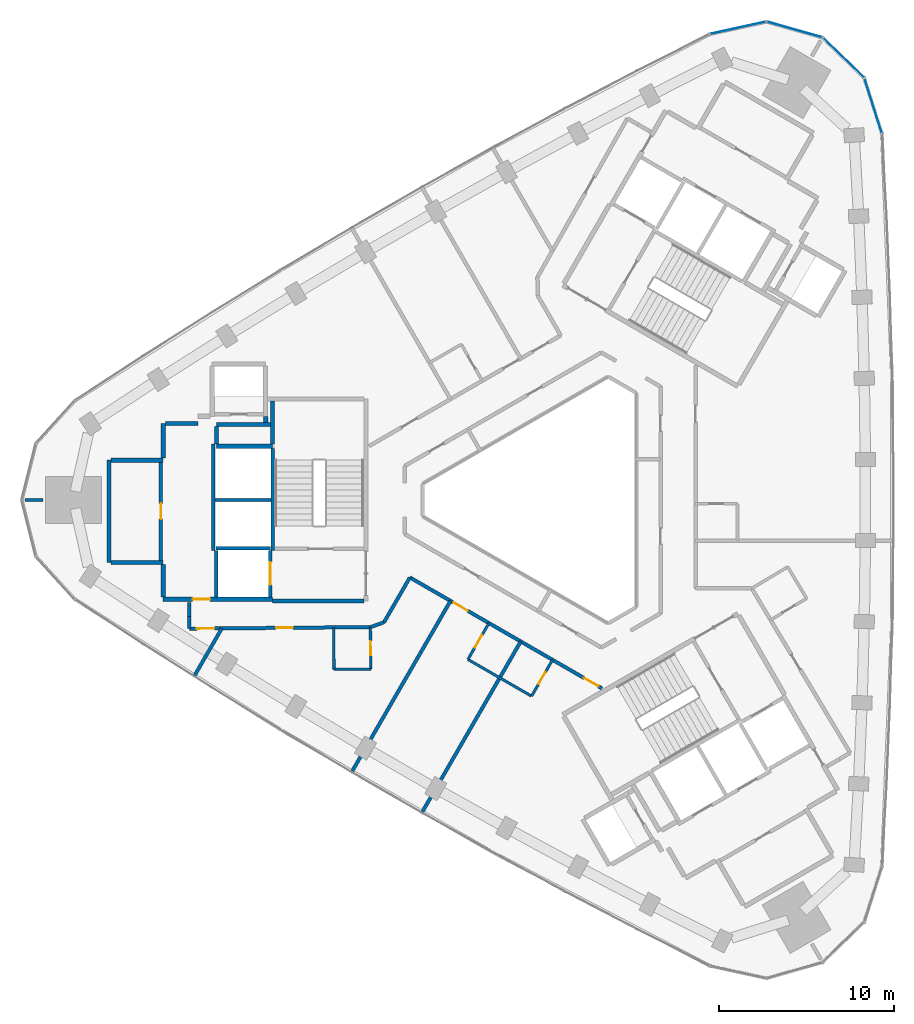
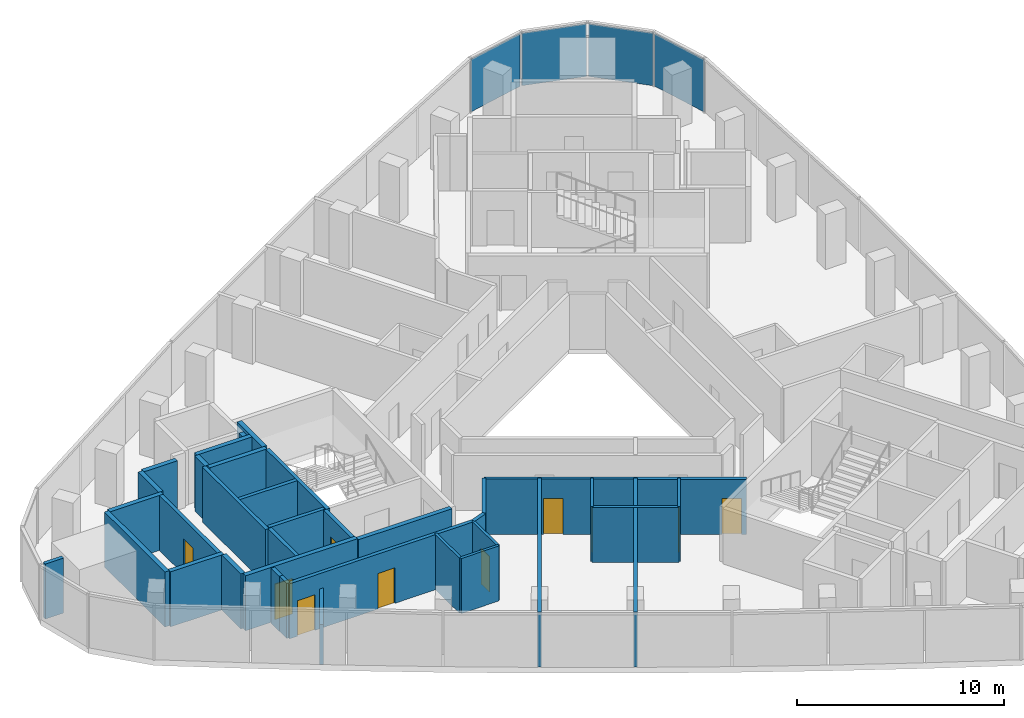
# One storey, part 7 of 12: 36 walls, 10 doors, 4 plates, 10 openings, 1 element without a shape of its own.
"""IFC4 building model written with IfcOpenShell, lengths in metres."""

import ifcopenshell
import ifcopenshell.guid

model = None  # the IFC model being written
_history = None  # IfcOwnerHistory: only IFC2X3 demands one
_inside = {}  # id of a spatial element -> (the spatial element, [elements in it])
_under = {}  # id of a project, library or spatial element -> (it, [spatial elements below it])
_declared = {}  # id of a project -> (the project, [libraries it declares])
_typed = {}  # id of a type object -> (the type object, [elements of that type])
_made_of = {}  # id of a material, layer set ... -> (it, [elements and type objects made of it])


def new_model(schema):
    """Start an empty IFC model of exactly this schema.

    Asked for "IFC4X3", IfcOpenShell would pick the latest addendum, in which some entities
    have other attributes; the version numbers below select the first issue.
    IFC2X3 requires an IfcOwnerHistory on every rooted entity: one is made here for all.
    """
    global model, _history
    if schema == "IFC4X3":
        model = ifcopenshell.file(schema_version=(4, 3, 0, 0))
    else:
        model = ifcopenshell.file(schema=schema)
    _inside.clear()
    _under.clear()
    _declared.clear()
    _typed.clear()
    _made_of.clear()
    _history = None
    if model.schema == "IFC2X3":
        org = make("IfcOrganization", Name="unknown")
        user = make(
            "IfcPersonAndOrganization",
            ThePerson=make("IfcPerson", FamilyName="unknown"),
            TheOrganization=org,
        )
        app = make(
            "IfcApplication",
            ApplicationDeveloper=org,
            Version="unknown",
            ApplicationFullName="unknown",
            ApplicationIdentifier="unknown",
        )
        _history = make(
            "IfcOwnerHistory",
            OwningUser=user,
            OwningApplication=app,
            ChangeAction="ADDED",
            CreationDate=0,
        )
    return model


def make(cls, **values):
    """One entity of the class cls with the attributes given. An attribute that is None is left unset."""
    return model.create_entity(
        cls, **{name: value for name, value in values.items() if value is not None}
    )


def rooted(cls, **values):
    """An entity with a GlobalId (a new one), such as an element, a storey or a relation."""
    return make(cls, GlobalId=ifcopenshell.guid.new(), OwnerHistory=_history, **values)


def si_unit(unit_type, name, prefix=None):
    """IfcSIUnit, for example si_unit("LENGTHUNIT", "METRE", prefix="MILLI")."""
    return make("IfcSIUnit", UnitType=unit_type, Prefix=prefix, Name=name)


def assignment(units):
    """IfcUnitAssignment: the units of a project."""
    return None if units is None else make("IfcUnitAssignment", Units=units)


def point(xyz):
    """IfcCartesianPoint."""
    return None if xyz is None else make("IfcCartesianPoint", Coordinates=xyz)


def direction(xyz):
    """IfcDirection."""
    return None if xyz is None else make("IfcDirection", DirectionRatios=xyz)


def frame(location, z_axis=None, x_axis=None):
    """IfcAxis2Placement3D, a coordinate frame: its origin and axes. An axis left out is left unset."""
    return make(
        "IfcAxis2Placement3D",
        Location=point(location),
        Axis=direction(z_axis),
        RefDirection=direction(x_axis),
    )


def frame_2d(location, x_axis=None):
    """IfcAxis2Placement2D, a coordinate frame in the plane: its origin and x axis."""
    return make(
        "IfcAxis2Placement2D", Location=point(location), RefDirection=direction(x_axis)
    )


def origin():
    """The frame at (0, 0, 0) with its axes left unset."""
    return frame((0.0, 0.0, 0.0))


def origin_2d():
    """The frame at (0, 0) in the plane with its x axis left unset."""
    return frame_2d((0.0, 0.0))


def place(relative_to, where):
    """IfcLocalPlacement: puts the frame where relative to a parent placement (None: the world)."""
    return make(
        "IfcLocalPlacement", PlacementRelTo=relative_to, RelativePlacement=where
    )


def context(
    kind, dimensions, precision=None, world=None, true_north=None, identifier=None
):
    """IfcGeometricRepresentationContext, for example the 3D "Model" context."""
    return make(
        "IfcGeometricRepresentationContext",
        ContextIdentifier=identifier,
        ContextType=kind,
        CoordinateSpaceDimension=dimensions,
        Precision=precision,
        WorldCoordinateSystem=world,
        TrueNorth=true_north,
    )


def subcontext(parent, identifier, kind, view, scale=None):
    """IfcGeometricRepresentationSubContext, for example "Body" below "Model"."""
    return make(
        "IfcGeometricRepresentationSubContext",
        ContextIdentifier=identifier,
        ContextType=kind,
        ParentContext=parent,
        TargetScale=scale,
        TargetView=view,
    )


def project(units=None, contexts=None):
    """IfcProject with its units and contexts."""
    return rooted(
        "IfcProject",
        Name="project",
        RepresentationContexts=contexts,
        UnitsInContext=assignment(units),
    )


def spatial(cls, under=None, at=None, **own):
    """A site, building, storey or space (cls), placed at a placement, below another one or the project."""
    s = rooted(cls, ObjectPlacement=at, **own)
    if under is not None:
        _under.setdefault(under.id(), (under, []))[1].append(s)
    return s


def profile(cls, at=None, kind="AREA", **sizes):
    """A parametric profile (cls). Its sizes go by their IFC names, for example OverallWidth=200.0."""
    return make(cls, ProfileType=kind, Position=at, **sizes)


def rectangle(**sizes):
    """IfcRectangleProfileDef."""
    return profile("IfcRectangleProfileDef", **sizes)


def extrude(swept, where, along, depth):
    """IfcExtrudedAreaSolid: the profile swept, set in the frame where, extruded along a direction by depth."""
    return make(
        "IfcExtrudedAreaSolid",
        SweptArea=swept,
        Position=where,
        ExtrudedDirection=direction(along),
        Depth=depth,
    )


def shape(context_of_items, identifier, shape_type, items):
    """IfcShapeRepresentation: the items that make up one representation, for example the "Body"."""
    return make(
        "IfcShapeRepresentation",
        ContextOfItems=context_of_items,
        RepresentationIdentifier=identifier,
        RepresentationType=shape_type,
        Items=items,
    )


def material(Name=None, Category=None):
    """IfcMaterial."""
    return make("IfcMaterial", Name=Name, Category=Category)


def layer(
    of_material, thickness, ventilated=None, Name=None, Category=None, Priority=None
):
    """IfcMaterialLayer: one layer of a wall or slab, of a material (None: an air gap)."""
    return make(
        "IfcMaterialLayer",
        Material=of_material,
        LayerThickness=thickness,
        IsVentilated=ventilated,
        Name=Name,
        Category=Category,
        Priority=Priority,
    )


def layer_set(layers, Name=None):
    """IfcMaterialLayerSet."""
    return make("IfcMaterialLayerSet", MaterialLayers=layers, LayerSetName=Name)


def made_of(thing, what):
    """Note that an element or type object is made of a material, layer set ...; save() writes the relation."""
    if what is not None:
        _made_of.setdefault(what.id(), (what, []))[1].append(thing)
    return thing


def type_object(cls, material=None, **own):
    """A type object (cls), such as IfcWallType, which elements share."""
    return made_of(rooted(cls, **own), material)


def element(
    cls,
    number,
    at=None,
    inside=None,
    cuts=None,
    type_object=None,
    material=None,
    context=None,
    identifier="Body",
    shape_type=None,
    held_by="IfcProductDefinitionShape",
    body=None,
    shapes=None,
    **own,
):
    """One element of the class cls, such as IfcWall. Its Tag is "e" and its number.

    at: its placement. inside: the storey or other place that contains it. cuts: it is an
    opening in that element (IfcRelVoidsElement). A single representation is given by context,
    identifier, shape_type and body (its items); several are given by shapes. held_by: the class
    of the entity that holds the representations. save() writes the other relations.
    """
    e = rooted(cls, Tag="e%d" % number, ObjectPlacement=at, **own)
    if body is not None:
        shapes = [shape(context, identifier, shape_type, body)]
    if shapes is not None:
        e.Representation = make(held_by, Representations=shapes)
    if inside is not None:
        _inside.setdefault(inside.id(), (inside, []))[1].append(e)
    if cuts is not None:
        rooted(
            "IfcRelVoidsElement", RelatingBuildingElement=cuts, RelatedOpeningElement=e
        )
    if type_object is not None:
        _typed.setdefault(type_object.id(), (type_object, []))[1].append(e)
    return made_of(e, material)


def fill(opening, filler):
    """IfcRelFillsElement: the door or window that sits in an opening."""
    return rooted(
        "IfcRelFillsElement",
        RelatingOpeningElement=opening,
        RelatedBuildingElement=filler,
    )


def aggregate(whole, parts):
    """IfcRelAggregates: a whole, such as a stair, and the parts it consists of."""
    return rooted("IfcRelAggregates", RelatingObject=whole, RelatedObjects=parts)


def save(model, path):
    """Write the relations noted so far, then the file.

    IfcRelAggregates (storeys below a building ...), IfcRelContainedInSpatialStructure (elements
    in a storey), IfcRelDefinesByType, IfcRelAssociatesMaterial and IfcRelDeclares: one each for
    every whole, place, type object, material and project.
    """
    for whole, parts in _under.values():
        aggregate(whole, parts)
    for where, things in _inside.values():
        rooted(
            "IfcRelContainedInSpatialStructure",
            RelatedElements=things,
            RelatingStructure=where,
        )
    for kind, things in _typed.values():
        rooted("IfcRelDefinesByType", RelatedObjects=things, RelatingType=kind)
    for what, things in _made_of.values():
        rooted("IfcRelAssociatesMaterial", RelatedObjects=things, RelatingMaterial=what)
    for by, libraries in _declared.values():
        rooted("IfcRelDeclares", RelatingContext=by, RelatedDefinitions=libraries)
    model.write(path)


model = new_model("IFC4")

# Units and contexts
model_context = context("Model", 3, precision=1e-05, world=origin(), true_north=direction((0.0, 1.0)))
body_context = subcontext(model_context, "Body", "Model", "MODEL_VIEW")
ifc_project = project(units=[si_unit("LENGTHUNIT", "METRE"), si_unit("AREAUNIT", "SQUARE_METRE"), si_unit("VOLUMEUNIT", "CUBIC_METRE"), si_unit("PLANEANGLEUNIT", "RADIAN"), si_unit("MASSUNIT", "GRAM", prefix="KILO")], contexts=[model_context])

# Site, building, storey
site_placement = place(None, origin())
site = spatial("IfcSite", under=ifc_project, at=site_placement, CompositionType="ELEMENT")
building_placement = place(site_placement, origin())
building = spatial("IfcBuilding", under=site, at=building_placement, Name="Tamra Quay Hotel Tower", CompositionType="ELEMENT")
storey_placement = place(building_placement, frame((0.0, 0.0, 179.199951171875)))
storey = spatial("IfcBuildingStorey", under=building, at=storey_placement, Name="L44", CompositionType="ELEMENT", Elevation=179.199951171875)

# Curtain wall, plates
ifc_material_1 = material(Name="Aluminium 6063 anodised dark grey", Category="aluminium")
curtain_wall_type = type_object("IfcCurtainWallType", Name="CW1 CURTAIN WALL", PredefinedType="NOTDEFINED", material=ifc_material_1)
curtain_wall_placement = place(storey_placement, origin())
curtain_wall = element("IfcCurtainWall", 1, at=curtain_wall_placement, inside=storey, type_object=curtain_wall_type, Name="CW1 east face L44", PredefinedType="NOTDEFINED")
ifc_material_2 = material(Name="Glass clear laminated low-iron", Category="glass")
ifc_layer_1 = layer(ifc_material_2, 0.030029296875)
ifc_layer_set_1 = layer_set([ifc_layer_1], Name="GLASS PANEL CW1 Z4")
plate_type = type_object("IfcPlateType", Name="GLASS PANEL CW1 Z4", PredefinedType="CURTAIN_PANEL", material=ifc_layer_set_1)
plate_1_placement = place(storey_placement, frame((18.16064453125, 22.54052734375, 0.0), z_axis=(0.0, 0.0, 1.0), x_axis=(-0.303410479682, 0.952859948166, 0.0)))
plate_1 = element("IfcPlate", 2, at=plate_1_placement, type_object=plate_type, Name="CW1 glass L44.E.10", PredefinedType="CURTAIN_PANEL", context=body_context, shape_type="SweptSolid", body=[
    extrude(rectangle(XDim=3.227783203125, YDim=0.030029296875, at=origin_2d()), origin(), (0.0, 0.0, 1.0), 3.110107421875),
])
plate_2_placement = place(storey_placement, frame((16.461181640625, 25.2841796875, 0.0), z_axis=(0.0, 0.0, 1.0), x_axis=(-0.717974699393, 0.696069199888, 0.0)))
plate_2 = element("IfcPlate", 3, at=plate_2_placement, type_object=plate_type, Name="CW1 glass L44.E.11", PredefinedType="CURTAIN_PANEL", context=body_context, shape_type="SweptSolid", body=[
    extrude(rectangle(XDim=3.227783203125, YDim=0.030029296875, at=origin_2d()), origin(), (0.0, 0.0, 1.0), 3.110107421875),
])
plate_3_placement = place(storey_placement, frame((13.666259765625, 26.897705078125, 0.0), z_axis=(0.0, 0.0, 1.0), x_axis=(-0.961800959591, 0.273749729005, 0.0)))
plate_3 = element("IfcPlate", 4, at=plate_3_placement, type_object=plate_type, Name="CW1 glass L44.E.12", PredefinedType="CURTAIN_PANEL", context=body_context, shape_type="SweptSolid", body=[
    extrude(rectangle(XDim=3.227783203125, YDim=0.030029296875, at=origin_2d()), origin(), (0.0, 0.0, 1.0), 3.110107421875),
])
plate_4_placement = place(storey_placement, frame((10.4404296875, 26.997802734375, 0.0), z_axis=(0.0, 0.0, 1.0), x_axis=(-0.976906161202, -0.213668790904, 0.0)))
plate_4 = element("IfcPlate", 5, at=plate_4_placement, type_object=plate_type, Name="CW1 glass L44.E.13", PredefinedType="CURTAIN_PANEL", context=body_context, shape_type="SweptSolid", body=[
    extrude(rectangle(XDim=3.227783203125, YDim=0.030029296875, at=origin_2d()), origin(), (0.0, 0.0, 1.0), 3.110107421875),
])
aggregate(curtain_wall, [plate_1, plate_2, plate_3, plate_4])

# Walls
ifc_material_3 = material(Name="Concrete M70", Category="concrete")
ifc_layer_2 = layer(ifc_material_3, 0.199951171875)
ifc_layer_set_2 = layer_set([ifc_layer_2], Name="Concrete M70 core wall 200")
wall_type_1 = type_object("IfcWallType", Name="Concrete M70 core wall 200", PredefinedType="SHEAR", material=ifc_layer_set_2)
wall_1_placement = place(storey_placement, frame((-16.162109375, 2.95068359375, 0.0), z_axis=(0.0, 0.0, 1.0), x_axis=(0.0, -1.0, 0.0)))
element("IfcWall", 6, at=wall_1_placement, inside=storey, type_object=wall_type_1, Name="CW2", PredefinedType="SHEAR", context=body_context, shape_type="SweptSolid", body=[
    extrude(rectangle(XDim=5.850830078125, YDim=0.199951171875, at=frame_2d((2.92529296875, 0.0))), origin(), (0.0, 0.0, 1.0), 3.25),
])
wall_2_placement = place(storey_placement, frame((-19.5625, -2.900146484375, 0.0), z_axis=(0.0, 0.0, 1.0), x_axis=(0.0, 1.0, 0.0)))
element("IfcWall", 7, at=wall_2_placement, inside=storey, type_object=wall_type_1, Name="CW2", PredefinedType="SHEAR", context=body_context, shape_type="SweptSolid", body=[
    extrude(rectangle(XDim=6.100341796875, YDim=0.199951171875, at=frame_2d((3.05029296875, 0.0))), origin(), (0.0, 0.0, 1.0), 3.25),
])

# Wall, opening, door
wall_3_placement = place(storey_placement, frame((-22.5625, -3.448974609375, 0.0), z_axis=(0.0, 0.0, 1.0), x_axis=(0.0, 1.0, 0.0)))
wall_3 = element("IfcWall", 8, at=wall_3_placement, inside=storey, type_object=wall_type_1, Name="CW2", PredefinedType="SHEAR", context=body_context, shape_type="SweptSolid", body=[
    extrude(rectangle(XDim=5.597900390625, YDim=0.199951171875, at=frame_2d((2.798828125, 0.0))), origin(), (0.0, 0.0, 1.0), 3.25),
])
opening_1_placement = place(wall_3_placement, frame((2.34912109375, 0.0, 0.0)))
opening_1 = element("IfcOpeningElement", 9, at=opening_1_placement, cuts=wall_3, Name="Opening D2", PredefinedType="OPENING", context=body_context, shape_type="SweptSolid", body=[
    extrude(rectangle(XDim=0.89990234375, YDim=2.10009765625, at=frame_2d((0.449951171875, 1.050048828125))), frame((0.0, 0.10986328125, 0.0), z_axis=(0.0, -1.0, 0.0), x_axis=(1.0, 0.0, 0.0)), (0.0, 0.0, 1.0), 0.219970703125),
])
ifc_material_4 = material(Name="Core door D2 900x2100 RH")
door_type_1 = type_object("IfcDoorType", Name="Core door D2 900x2100 RH", OperationType="NOTDEFINED", PredefinedType="DOOR", material=ifc_material_4)
door_1_placement = place(opening_1_placement, origin())
door_1 = element("IfcDoor", 10, at=door_1_placement, inside=storey, type_object=door_type_1, Name="D2", OperationType="SINGLE_SWING_RIGHT", OverallHeight=2.10009765625, OverallWidth=0.89990234375, PredefinedType="DOOR", context=body_context, shape_type="SweptSolid", body=[
    extrude(rectangle(XDim=0.89990234375, YDim=2.10009765625, at=frame_2d((0.449951171875, 1.050048828125))), frame((0.0, 0.02490234375, 0.0), z_axis=(0.0, -1.0, 0.0), x_axis=(1.0, 0.0, 0.0)), (0.0, 0.0, 1.0), 0.050048828125),
])
fill(opening_1, door_1)

# Walls
wall_4_placement = place(storey_placement, frame((-16.26318359375, 0.0, 0.0), z_axis=(0.0, 0.0, 1.0), x_axis=(-1.0, 0.0, 0.0)))
element("IfcWall", 11, at=wall_4_placement, inside=storey, type_object=wall_type_1, Name="CW2", PredefinedType="SHEAR", context=body_context, shape_type="SweptSolid", body=[
    extrude(rectangle(XDim=3.1982421875, YDim=0.199951171875, at=frame_2d((1.59912109375, 0.0))), origin(), (0.0, 0.0, 1.0), 3.25),
])
wall_5_placement = place(storey_placement, frame((-19.412353515625, -2.75, 0.0), z_axis=(0.0, 0.0, 1.0), x_axis=(1.0, 0.0, 0.0)))
element("IfcWall", 12, at=wall_5_placement, inside=storey, type_object=wall_type_1, Name="CW2", PredefinedType="SHEAR", context=body_context, shape_type="SweptSolid", body=[
    extrude(rectangle(XDim=3.10009765625, YDim=0.199951171875, at=frame_2d((1.550048828125, 0.0))), origin(), (0.0, 0.0, 1.0), 3.25),
])

# Wall, opening, door
wall_6_placement = place(storey_placement, frame((-16.312255859375, -2.898193359375, 0.0), z_axis=(0.0, 0.0, 1.0), x_axis=(0.0, -1.0, 0.0)))
wall_6 = element("IfcWall", 13, at=wall_6_placement, inside=storey, type_object=wall_type_1, Name="CW2", PredefinedType="SHEAR", context=body_context, shape_type="SweptSolid", body=[
    extrude(rectangle(XDim=2.65087890625, YDim=0.199951171875, at=frame_2d((1.325439453125, 0.0))), origin(), (0.0, 0.0, 1.0), 3.25),
])
opening_2_placement = place(wall_6_placement, frame((0.65185546875, 0.0, 0.0)))
opening_2 = element("IfcOpeningElement", 14, at=opening_2_placement, cuts=wall_6, Name="Opening LD", PredefinedType="OPENING", context=body_context, shape_type="SweptSolid", body=[
    extrude(rectangle(XDim=1.300048828125, YDim=2.10009765625, at=frame_2d((0.64990234375, 1.050048828125))), frame((0.0, 0.10986328125, 0.0), z_axis=(0.0, -1.0, 0.0), x_axis=(1.0, 0.0, 0.0)), (0.0, 0.0, 1.0), 0.219970703125),
])
ifc_material_5 = material(Name="Landing door LD 1300 sliding to left")
door_type_2 = type_object("IfcDoorType", Name="Landing door LD 1300 sliding to left", OperationType="NOTDEFINED", PredefinedType="DOOR", material=ifc_material_5)
door_2_placement = place(opening_2_placement, origin())
door_2 = element("IfcDoor", 15, at=door_2_placement, inside=storey, type_object=door_type_2, Name="LD", OperationType="SLIDING_TO_LEFT", OverallHeight=2.10009765625, OverallWidth=1.300048828125, PredefinedType="DOOR", context=body_context, shape_type="SweptSolid", body=[
    extrude(rectangle(XDim=1.300048828125, YDim=2.10009765625, at=frame_2d((0.64990234375, 1.050048828125))), frame((0.0, 0.02490234375, 0.0), z_axis=(0.0, -1.0, 0.0), x_axis=(1.0, 0.0, 0.0)), (0.0, 0.0, 1.0), 0.050048828125),
])
fill(opening_2, door_2)

# Wall
wall_7_placement = place(storey_placement, frame((-19.412353515625, -5.549072265625, 0.0), z_axis=(0.0, 0.0, 1.0), x_axis=(0.0, 1.0, 0.0)))
element("IfcWall", 16, at=wall_7_placement, inside=storey, type_object=wall_type_1, Name="CW2", PredefinedType="SHEAR", context=body_context, shape_type="SweptSolid", body=[
    extrude(rectangle(XDim=2.65087890625, YDim=0.199951171875, at=frame_2d((1.325439453125, 0.0))), origin(), (0.0, 0.0, 1.0), 3.25),
])

# Wall, opening, door
ifc_layer_3 = layer(ifc_material_3, 0.25)
ifc_layer_set_3 = layer_set([ifc_layer_3], Name="Concrete M70 core wall 250")
wall_type_2 = type_object("IfcWallType", Name="Concrete M70 core wall 250", PredefinedType="SHEAR", material=ifc_layer_set_3)
wall_8_placement = place(storey_placement, frame((-16.187255859375, -5.675048828125, 0.0), z_axis=(0.0, 0.0, 1.0), x_axis=(-1.0, 0.0, 0.0)))
wall_8 = element("IfcWall", 17, at=wall_8_placement, inside=storey, type_object=wall_type_2, Name="CW1", PredefinedType="SHEAR", context=body_context, shape_type="SweptSolid", body=[
    extrude(rectangle(XDim=6.25, YDim=0.25, at=frame_2d((3.125, 0.0))), origin(), (0.0, 0.0, 1.0), 3.25),
])
opening_3_placement = place(wall_8_placement, frame((3.562744140625, 0.0, 0.0)))
opening_3 = element("IfcOpeningElement", 18, at=opening_3_placement, cuts=wall_8, Name="Opening FD3", PredefinedType="OPENING", context=body_context, shape_type="SweptSolid", body=[
    extrude(rectangle(XDim=1.0, YDim=2.10009765625, at=frame_2d((0.5, 1.050048828125))), frame((0.0, 0.135009765625, 0.0), z_axis=(0.0, -1.0, 0.0), x_axis=(1.0, 0.0, 0.0)), (0.0, 0.0, 1.0), 0.27001953125),
])
ifc_material_6 = material(Name="Core door FD3 1000x2100 LH")
door_type_3 = type_object("IfcDoorType", Name="Core door FD3 1000x2100 LH", OperationType="NOTDEFINED", PredefinedType="DOOR", material=ifc_material_6)
door_3_placement = place(opening_3_placement, origin())
door_3 = element("IfcDoor", 19, at=door_3_placement, inside=storey, type_object=door_type_3, Name="FD3", OperationType="SINGLE_SWING_LEFT", OverallHeight=2.10009765625, OverallWidth=1.0, PredefinedType="DOOR", context=body_context, shape_type="SweptSolid", body=[
    extrude(rectangle(XDim=1.0, YDim=2.10009765625, at=frame_2d((0.5, 1.050048828125))), frame((0.0, 0.02490234375, 0.0), z_axis=(0.0, -1.0, 0.0), x_axis=(1.0, 0.0, 0.0)), (0.0, 0.0, 1.0), 0.050048828125),
])
fill(opening_3, door_3)

# Walls
wall_9_placement = place(storey_placement, frame((-25.537353515625, -3.574951171875, 0.0), z_axis=(0.0, 0.0, 1.0), x_axis=(0.0, 1.0, 0.0)))
element("IfcWall", 20, at=wall_9_placement, inside=storey, type_object=wall_type_2, Name="CW1", PredefinedType="SHEAR", context=body_context, shape_type="SweptSolid", body=[
    extrude(rectangle(XDim=5.849853515625, YDim=0.25, at=frame_2d((2.9248046875, 0.0))), origin(), (0.0, 0.0, 1.0), 3.25),
])
wall_10_placement = place(storey_placement, frame((-10.962646484375, -5.77490234375, 0.0), z_axis=(0.0, 0.0, 1.0), x_axis=(-1.0, 0.0, 0.0)))
element("IfcWall", 21, at=wall_10_placement, inside=storey, type_object=wall_type_2, Name="CW1", PredefinedType="SHEAR", context=body_context, shape_type="SweptSolid", body=[
    extrude(rectangle(XDim=5.224609375, YDim=0.25, at=frame_2d((2.6123046875, 0.0))), origin(), (0.0, 0.0, 1.0), 3.25),
])
wall_11_placement = place(storey_placement, frame((-19.38720703125, 3.074951171875, 0.0), z_axis=(0.0, 0.0, 1.0), x_axis=(1.0, 0.0, 0.0)))
element("IfcWall", 22, at=wall_11_placement, inside=storey, type_object=wall_type_2, Name="CW1", PredefinedType="SHEAR", context=body_context, shape_type="SweptSolid", body=[
    extrude(rectangle(XDim=3.199951171875, YDim=0.25, at=frame_2d((1.60009765625, 0.0))), origin(), (0.0, 0.0, 1.0), 3.25),
])
for number, where, z_axis, x_axis, name in (
    (23, (-22.437255859375, -3.574951171875, 0.0), (0.0, 0.0, 1.0), (-1.0, 0.0, 0.0), "CW1"),
    (24, (-25.411865234375, 2.27490234375, 0.0), (0.0, 0.0, 1.0), (1.0, 0.0, 0.0), "CW1"),
):
    element("IfcWall", number, at=place(storey_placement, frame(where, z_axis=z_axis, x_axis=x_axis)), inside=storey, type_object=wall_type_2, Name=name, PredefinedType="SHEAR", context=body_context, shape_type="SweptSolid", body=[
        extrude(rectangle(XDim=2.974609375, YDim=0.25, at=frame_2d((1.4873046875, 0.0))), origin(), (0.0, 0.0, 1.0), 3.25),
    ])
wall_12_placement = place(storey_placement, frame((-16.30224609375, 4.31494140625, 0.0), z_axis=(0.0, 0.0, 1.0), x_axis=(-1.0, 0.0, 0.0)))
element("IfcWall", 25, at=wall_12_placement, inside=storey, type_object=wall_type_2, Name="CW1", PredefinedType="SHEAR", context=body_context, shape_type="SweptSolid", body=[
    extrude(rectangle(XDim=3.0849609375, YDim=0.25, at=frame_2d((1.54248046875, 0.0))), origin(), (0.0, 0.0, 1.0), 3.25),
])
wall_13_placement = place(storey_placement, frame((-16.187255859375, 3.200439453125, 0.0), z_axis=(0.0, 0.0, 1.0), x_axis=(0.0, 1.0, 0.0)))
element("IfcWall", 26, at=wall_13_placement, inside=storey, type_object=wall_type_2, Name="CW1", PredefinedType="SHEAR", context=body_context, shape_type="SweptSolid", body=[
    extrude(rectangle(XDim=2.44921875, YDim=0.25, at=frame_2d((1.224609375, 0.0))), origin(), (0.0, 0.0, 1.0), 3.25),
])
wall_14_placement = place(storey_placement, frame((-22.437255859375, 2.400390625, 0.0), z_axis=(0.0, 0.0, 1.0), x_axis=(0.0, 1.0, 0.0)))
element("IfcWall", 27, at=wall_14_placement, inside=storey, type_object=wall_type_2, Name="CW1", PredefinedType="SHEAR", context=body_context, shape_type="SweptSolid", body=[
    extrude(rectangle(XDim=1.974609375, YDim=0.25, at=frame_2d((0.9873046875, 0.0))), origin(), (0.0, 0.0, 1.0), 3.25),
])
wall_15_placement = place(storey_placement, frame((-22.437255859375, -5.549560546875, 0.0), z_axis=(0.0, 0.0, 1.0), x_axis=(0.0, 1.0, 0.0)))
element("IfcWall", 28, at=wall_15_placement, inside=storey, type_object=wall_type_2, Name="CW1", PredefinedType="SHEAR", context=body_context, shape_type="SweptSolid", body=[
    extrude(rectangle(XDim=1.84912109375, YDim=0.25, at=frame_2d((0.924560546875, 0.0))), origin(), (0.0, 0.0, 1.0), 3.25),
])
wall_16_placement = place(storey_placement, frame((-22.311767578125, 4.375, 0.0), z_axis=(0.0, 0.0, 1.0), x_axis=(1.0, 0.0, 0.0)))
element("IfcWall", 29, at=wall_16_placement, inside=storey, type_object=wall_type_2, Name="CW1", PredefinedType="SHEAR", context=body_context, shape_type="SweptSolid", body=[
    extrude(rectangle(XDim=1.864501953125, YDim=0.25, at=frame_2d((0.93212890625, 0.0))), origin(), (0.0, 0.0, 1.0), 3.25),
])
wall_17_placement = place(storey_placement, frame((-19.38720703125, 4.189697265625, 0.0), z_axis=(0.0, 0.0, 1.0), x_axis=(0.0, -1.0, 0.0)))
element("IfcWall", 30, at=wall_17_placement, inside=storey, type_object=wall_type_2, Name="CW1", PredefinedType="SHEAR", context=body_context, shape_type="SweptSolid", body=[
    extrude(rectangle(XDim=0.9892578125, YDim=0.25, at=frame_2d((0.49462890625, 0.0))), origin(), (0.0, 0.0, 1.0), 3.25),
])
wall_18_placement = place(storey_placement, frame((-16.577392578125, 4.784912109375, 0.0), z_axis=(0.0, 0.0, 1.0), x_axis=(0.0, -1.0, 0.0)))
element("IfcWall", 31, at=wall_18_placement, inside=storey, type_object=wall_type_2, Name="CW1", PredefinedType="SHEAR", context=body_context, shape_type="SweptSolid", body=[
    extrude(rectangle(XDim=0.344482421875, YDim=0.25, at=frame_2d((0.17236328125, 0.0))), origin(), (0.0, 0.0, 1.0), 3.25),
])
ifc_material_7 = material(Name="Partition corridor wall")
ifc_layer_4 = layer(ifc_material_7, 0.199951171875)
ifc_layer_set_4 = layer_set([ifc_layer_4], Name="Partition corridor wall")
wall_type_3 = type_object("IfcWallType", Name="Partition corridor wall", PredefinedType="PARTITIONING", material=ifc_layer_set_4)
wall_19_placement = place(storey_placement, frame((-20.949951171875, -6.64990234375, 0.0), z_axis=(0.0, 0.0, 1.0), x_axis=(0.0, 1.0, 0.0)))
element("IfcWall", 32, at=wall_19_placement, inside=storey, type_object=wall_type_3, Name="W-C", PredefinedType="PARTITIONING", context=body_context, shape_type="SweptSolid", body=[
    extrude(rectangle(XDim=0.789794921875, YDim=0.199951171875, at=frame_2d((0.39501953125, 0.0))), origin(), (0.0, 0.0, 1.0), 3.25),
])
wall_20_placement = place(storey_placement, frame((-20.947021484375, -6.653076171875, 0.0), z_axis=(0.0, 0.0, 1.0), x_axis=(0.004173876686, -0.999991289339, 0.0)))
element("IfcWall", 33, at=wall_20_placement, inside=storey, type_object=wall_type_3, Name="W-C", PredefinedType="PARTITIONING", context=body_context, shape_type="SweptSolid", body=[
    extrude(rectangle(XDim=0.701904296875, YDim=0.199951171875, at=frame_2d((0.35107421875, 0.0))), origin(), (0.0, 0.0, 1.0), 3.25),
])

# Wall, openings, doors
wall_21_placement = place(storey_placement, frame((-20.944091796875, -7.35595703125, 0.0), z_axis=(0.0, 0.0, 1.0), x_axis=(0.999963588164, 0.008533600955, 0.0)))
wall_21 = element("IfcWall", 34, at=wall_21_placement, inside=storey, type_object=wall_type_3, Name="W-C", PredefinedType="PARTITIONING", context=body_context, shape_type="SweptSolid", body=[
    extrude(rectangle(XDim=10.356689453125, YDim=0.199951171875, at=frame_2d((5.17822265625, 0.0))), origin(), (0.0, 0.0, 1.0), 3.25),
])
opening_4_placement = place(wall_21_placement, frame((0.4365234375, 0.0, 0.0)))
opening_4 = element("IfcOpeningElement", 35, at=opening_4_placement, cuts=wall_21, Name="Opening L44-D010", PredefinedType="OPENING", context=body_context, shape_type="SweptSolid", body=[
    extrude(rectangle(XDim=1.0, YDim=2.10009765625, at=frame_2d((0.5, 1.050048828125))), frame((0.0, 0.10986328125, 0.0), z_axis=(0.0, -1.0, 0.0), x_axis=(1.0, 0.0, 0.0)), (0.0, 0.0, 1.0), 0.219970703125),
])
opening_5_placement = place(wall_21_placement, frame((4.96826171875, 0.0, 0.0)))
opening_5 = element("IfcOpeningElement", 36, at=opening_5_placement, cuts=wall_21, Name="Opening L44-D011", PredefinedType="OPENING", context=body_context, shape_type="SweptSolid", body=[
    extrude(rectangle(XDim=0.949951171875, YDim=2.10009765625, at=frame_2d((0.47509765625, 1.050048828125))), frame((0.0, 0.10986328125, 0.0), z_axis=(0.0, -1.0, 0.0), x_axis=(1.0, 0.0, 0.0)), (0.0, 0.0, 1.0), 0.219970703125),
])
ifc_material_8 = material(Name="Door guest room 1000x2100")
door_type_4 = type_object("IfcDoorType", Name="Door guest room 1000x2100", OperationType="NOTDEFINED", PredefinedType="DOOR", material=ifc_material_8)
door_4_placement = place(opening_4_placement, origin())
door_4 = element("IfcDoor", 37, at=door_4_placement, inside=storey, type_object=door_type_4, Name="L44-D010", OperationType="SINGLE_SWING_LEFT", OverallHeight=2.10009765625, OverallWidth=1.0, PredefinedType="DOOR", context=body_context, shape_type="SweptSolid", body=[
    extrude(rectangle(XDim=1.0, YDim=2.10009765625, at=frame_2d((0.5, 1.050048828125))), frame((0.0, 0.02490234375, 0.0), z_axis=(0.0, -1.0, 0.0), x_axis=(1.0, 0.0, 0.0)), (0.0, 0.0, 1.0), 0.050048828125),
])
fill(opening_4, door_4)
ifc_material_9 = material(Name="Door guest room 950x2100")
door_type_5 = type_object("IfcDoorType", Name="Door guest room 950x2100", OperationType="NOTDEFINED", PredefinedType="DOOR", material=ifc_material_9)
door_5_placement = place(opening_5_placement, frame((0.949951171875, 0.0, 0.0), z_axis=(0.0, 0.0, 1.0), x_axis=(-1.0, 0.0, 0.0)))
door_5 = element("IfcDoor", 38, at=door_5_placement, inside=storey, type_object=door_type_5, Name="L44-D011", OperationType="SINGLE_SWING_LEFT", OverallHeight=2.10009765625, OverallWidth=0.949951171875, PredefinedType="DOOR", context=body_context, shape_type="SweptSolid", body=[
    extrude(rectangle(XDim=0.949951171875, YDim=2.10009765625, at=frame_2d((0.47509765625, 1.050048828125))), frame((0.0, 0.02490234375, 0.0), z_axis=(0.0, -1.0, 0.0), x_axis=(1.0, 0.0, 0.0)), (0.0, 0.0, 1.0), 0.050048828125),
])
fill(opening_5, door_5)

# Walls
wall_22_placement = place(storey_placement, frame((-10.587890625, -7.26904296875, 0.0), z_axis=(0.0, 0.0, 1.0), x_axis=(0.941634876095, 0.336635945974, 0.0)))
element("IfcWall", 39, at=wall_22_placement, inside=storey, type_object=wall_type_3, Name="W-C", PredefinedType="PARTITIONING", context=body_context, shape_type="SweptSolid", body=[
    extrude(rectangle(XDim=0.825927734375, YDim=0.199951171875, at=frame_2d((0.4130859375, 0.0))), origin(), (0.0, 0.0, 1.0), 3.25),
])
wall_23_placement = place(storey_placement, frame((-9.80908203125, -6.989990234375, 0.0), z_axis=(0.0, 0.0, 1.0), x_axis=(0.499955822529, 0.866050908157, 0.0)))
element("IfcWall", 40, at=wall_23_placement, inside=storey, type_object=wall_type_3, Name="W-C", PredefinedType="PARTITIONING", context=body_context, shape_type="SweptSolid", body=[
    extrude(rectangle(XDim=2.958251953125, YDim=0.199951171875, at=frame_2d((1.47900390625, 0.0))), origin(), (0.0, 0.0, 1.0), 3.25),
])

# Wall, openings, doors
wall_24_placement = place(storey_placement, frame((-8.330078125, -4.427978515625, 0.0), z_axis=(0.0, 0.0, 1.0), x_axis=(0.865923263811, -0.500176869909, 0.0)))
wall_24 = element("IfcWall", 41, at=wall_24_placement, inside=storey, type_object=wall_type_3, Name="W-C", PredefinedType="PARTITIONING", context=body_context, shape_type="SweptSolid", body=[
    extrude(rectangle(XDim=12.68017578125, YDim=0.199951171875, at=frame_2d((6.340087890625, 0.0))), origin(), (0.0, 0.0, 1.0), 3.25),
])
opening_6_placement = place(wall_24_placement, frame((2.869873046875, 0.0, 0.0)))
opening_6 = element("IfcOpeningElement", 42, at=opening_6_placement, cuts=wall_24, Name="Opening L44-D013", PredefinedType="OPENING", context=body_context, shape_type="SweptSolid", body=[
    extrude(rectangle(XDim=0.949951171875, YDim=2.10009765625, at=frame_2d((0.47509765625, 1.050048828125))), frame((0.0, 0.10986328125, 0.0), z_axis=(0.0, -1.0, 0.0), x_axis=(1.0, 0.0, 0.0)), (0.0, 0.0, 1.0), 0.219970703125),
])
opening_7_placement = place(wall_24_placement, frame((11.50048828125, 0.0, 0.0)))
opening_7 = element("IfcOpeningElement", 43, at=opening_7_placement, cuts=wall_24, Name="Opening L44-D015", PredefinedType="OPENING", context=body_context, shape_type="SweptSolid", body=[
    extrude(rectangle(XDim=0.949951171875, YDim=2.10009765625, at=frame_2d((0.47509765625, 1.050048828125))), frame((0.0, 0.10986328125, 0.0), z_axis=(0.0, -1.0, 0.0), x_axis=(1.0, 0.0, 0.0)), (0.0, 0.0, 1.0), 0.219970703125),
])
door_6_placement = place(opening_6_placement, frame((0.949951171875, 0.0, 0.0), z_axis=(0.0, 0.0, 1.0), x_axis=(-1.0, 0.0, 0.0)))
door_6 = element("IfcDoor", 44, at=door_6_placement, inside=storey, type_object=door_type_5, Name="L44-D013", OperationType="SINGLE_SWING_LEFT", OverallHeight=2.10009765625, OverallWidth=0.949951171875, PredefinedType="DOOR", context=body_context, shape_type="SweptSolid", body=[
    extrude(rectangle(XDim=0.949951171875, YDim=2.10009765625, at=frame_2d((0.47509765625, 1.050048828125))), frame((0.0, 0.02490234375, 0.0), z_axis=(0.0, -1.0, 0.0), x_axis=(1.0, 0.0, 0.0)), (0.0, 0.0, 1.0), 0.050048828125),
])
fill(opening_6, door_6)
door_7_placement = place(opening_7_placement, frame((0.949951171875, 0.0, 0.0), z_axis=(0.0, 0.0, 1.0), x_axis=(-1.0, 0.0, 0.0)))
door_7 = element("IfcDoor", 45, at=door_7_placement, inside=storey, type_object=door_type_5, Name="L44-D015", OperationType="SINGLE_SWING_LEFT", OverallHeight=2.10009765625, OverallWidth=0.949951171875, PredefinedType="DOOR", context=body_context, shape_type="SweptSolid", body=[
    extrude(rectangle(XDim=0.949951171875, YDim=2.10009765625, at=frame_2d((0.47509765625, 1.050048828125))), frame((0.0, 0.02490234375, 0.0), z_axis=(0.0, -1.0, 0.0), x_axis=(1.0, 0.0, 0.0)), (0.0, 0.0, 1.0), 0.050048828125),
])
fill(opening_7, door_7)

# Walls
ifc_material_10 = material(Name="Partition en-suite wall")
ifc_layer_5 = layer(ifc_material_10, 0.14990234375)
ifc_layer_set_5 = layer_set([ifc_layer_5], Name="Partition en-suite wall")
wall_type_4 = type_object("IfcWallType", Name="Partition en-suite wall", PredefinedType="PARTITIONING", material=ifc_layer_set_5)
wall_25_placement = place(storey_placement, frame((-12.68798828125, -7.287109375, 0.0), z_axis=(0.0, 0.0, 1.0), x_axis=(0.00834491602, -0.999965180582, 0.0)))
element("IfcWall", 46, at=wall_25_placement, inside=storey, type_object=wall_type_4, Name="W-E", PredefinedType="PARTITIONING", context=body_context, shape_type="SweptSolid", body=[
    extrude(rectangle(XDim=2.39892578125, YDim=0.14990234375, at=frame_2d((1.199462890625, 0.0))), origin(), (0.0, 0.0, 1.0), 3.25),
])
wall_26_placement = place(storey_placement, frame((-12.66796875, -9.68603515625, 0.0), z_axis=(0.0, 0.0, 1.0), x_axis=(0.999966883333, 0.008138319013, 0.0)))
element("IfcWall", 47, at=wall_26_placement, inside=storey, type_object=wall_type_4, Name="W-E", PredefinedType="PARTITIONING", context=body_context, shape_type="SweptSolid", body=[
    extrude(rectangle(XDim=2.099853515625, YDim=0.14990234375, at=frame_2d((1.0498046875, 0.0))), origin(), (0.0, 0.0, 1.0), 3.25),
])

# Wall, opening, door
wall_27_placement = place(storey_placement, frame((-10.587890625, -7.26904296875, 0.0), z_axis=(0.0, 0.0, 1.0), x_axis=(0.008239801651, -0.999966052258, 0.0)))
wall_27 = element("IfcWall", 48, at=wall_27_placement, inside=storey, type_object=wall_type_4, Name="W-E", PredefinedType="PARTITIONING", context=body_context, shape_type="SweptSolid", body=[
    extrude(rectangle(XDim=2.39990234375, YDim=0.14990234375, at=frame_2d((1.199951171875, 0.0))), origin(), (0.0, 0.0, 1.0), 3.25),
])
opening_8_placement = place(wall_27_placement, frame((0.800048828125, 0.0, 0.0)))
opening_8 = element("IfcOpeningElement", 49, at=opening_8_placement, cuts=wall_27, Name="Opening L44-D012", PredefinedType="OPENING", context=body_context, shape_type="SweptSolid", body=[
    extrude(rectangle(XDim=0.800048828125, YDim=2.10009765625, at=frame_2d((0.39990234375, 1.050048828125))), frame((0.0, 0.0849609375, 0.0), z_axis=(0.0, -1.0, 0.0), x_axis=(1.0, 0.0, 0.0)), (0.0, 0.0, 1.0), 0.169921875),
])
ifc_material_11 = material(Name="Door en-suite 800x2100")
door_type_6 = type_object("IfcDoorType", Name="Door en-suite 800x2100", OperationType="NOTDEFINED", PredefinedType="DOOR", material=ifc_material_11)
door_8_placement = place(opening_8_placement, frame((0.800048828125, 0.0, 0.0), z_axis=(0.0, 0.0, 1.0), x_axis=(-1.0, 0.0, 0.0)))
door_8 = element("IfcDoor", 50, at=door_8_placement, inside=storey, type_object=door_type_6, Name="L44-D012", OperationType="SINGLE_SWING_LEFT", OverallHeight=2.10009765625, OverallWidth=0.800048828125, PredefinedType="DOOR", context=body_context, shape_type="SweptSolid", body=[
    extrude(rectangle(XDim=0.800048828125, YDim=2.10009765625, at=frame_2d((0.39990234375, 1.050048828125))), frame((0.0, 0.02490234375, 0.0), z_axis=(0.0, -1.0, 0.0), x_axis=(1.0, 0.0, 0.0)), (0.0, 0.0, 1.0), 0.050048828125),
])
fill(opening_8, door_8)

wall_28_placement = place(storey_placement, frame((-5.010986328125, -9.115966796875, 0.0), z_axis=(0.0, 0.0, 1.0), x_axis=(0.500089422704, 0.865973769406, 0.0)))
wall_28 = element("IfcWall", 51, at=wall_28_placement, inside=storey, type_object=wall_type_4, Name="W-E", PredefinedType="PARTITIONING", context=body_context, shape_type="SweptSolid", body=[
    extrude(rectangle(XDim=2.3994140625, YDim=0.14990234375, at=frame_2d((1.19970703125, 0.0))), origin(), (0.0, 0.0, 1.0), 3.25),
])
opening_9_placement = place(wall_28_placement, frame((0.7998046875, 0.0, 0.0)))
opening_9 = element("IfcOpeningElement", 52, at=opening_9_placement, cuts=wall_28, Name="Opening L44-D014", PredefinedType="OPENING", context=body_context, shape_type="SweptSolid", body=[
    extrude(rectangle(XDim=0.800048828125, YDim=2.10009765625, at=frame_2d((0.39990234375, 1.050048828125))), frame((0.0, 0.0849609375, 0.0), z_axis=(0.0, -1.0, 0.0), x_axis=(1.0, 0.0, 0.0)), (0.0, 0.0, 1.0), 0.169921875),
])
door_9_placement = place(opening_9_placement, origin())
door_9 = element("IfcDoor", 53, at=door_9_placement, inside=storey, type_object=door_type_6, Name="L44-D014", OperationType="SINGLE_SWING_LEFT", OverallHeight=2.10009765625, OverallWidth=0.800048828125, PredefinedType="DOOR", context=body_context, shape_type="SweptSolid", body=[
    extrude(rectangle(XDim=0.800048828125, YDim=2.10009765625, at=frame_2d((0.39990234375, 1.050048828125))), frame((0.0, 0.02490234375, 0.0), z_axis=(0.0, -1.0, 0.0), x_axis=(1.0, 0.0, 0.0)), (0.0, 0.0, 1.0), 0.050048828125),
])
fill(opening_9, door_9)

# Wall
wall_29_placement = place(storey_placement, frame((-5.010986328125, -9.115966796875, 0.0), z_axis=(0.0, 0.0, 1.0), x_axis=(0.866062607352, -0.499935555993, 0.0)))
element("IfcWall", 54, at=wall_29_placement, inside=storey, type_object=wall_type_4, Name="W-E", PredefinedType="PARTITIONING", context=body_context, shape_type="SweptSolid", body=[
    extrude(rectangle(XDim=4.1982421875, YDim=0.14990234375, at=frame_2d((2.09912109375, 0.0))), origin(), (0.0, 0.0, 1.0), 3.25),
])

# Wall, opening, door
wall_30_placement = place(storey_placement, frame((-1.37109375, -11.212890625, 0.0), z_axis=(0.0, 0.0, 1.0), x_axis=(0.499748946523, 0.866170301066, 0.0)))
wall_30 = element("IfcWall", 55, at=wall_30_placement, inside=storey, type_object=wall_type_4, Name="W-E", PredefinedType="PARTITIONING", context=body_context, shape_type="SweptSolid", body=[
    extrude(rectangle(XDim=2.393310546875, YDim=0.14990234375, at=frame_2d((1.19677734375, 0.0))), origin(), (0.0, 0.0, 1.0), 3.25),
])
opening_10_placement = place(wall_30_placement, frame((0.796142578125, 0.0, 0.0)))
opening_10 = element("IfcOpeningElement", 56, at=opening_10_placement, cuts=wall_30, Name="Opening L44-D016", PredefinedType="OPENING", context=body_context, shape_type="SweptSolid", body=[
    extrude(rectangle(XDim=0.800048828125, YDim=2.10009765625, at=frame_2d((0.39990234375, 1.050048828125))), frame((0.0, 0.0849609375, 0.0), z_axis=(0.0, -1.0, 0.0), x_axis=(1.0, 0.0, 0.0)), (0.0, 0.0, 1.0), 0.169921875),
])
door_10_placement = place(opening_10_placement, frame((0.800048828125, 0.0, 0.0), z_axis=(0.0, 0.0, 1.0), x_axis=(-1.0, 0.0, 0.0)))
door_10 = element("IfcDoor", 57, at=door_10_placement, inside=storey, type_object=door_type_6, Name="L44-D016", OperationType="SINGLE_SWING_LEFT", OverallHeight=2.10009765625, OverallWidth=0.800048828125, PredefinedType="DOOR", context=body_context, shape_type="SweptSolid", body=[
    extrude(rectangle(XDim=0.800048828125, YDim=2.10009765625, at=frame_2d((0.39990234375, 1.050048828125))), frame((0.0, 0.02490234375, 0.0), z_axis=(0.0, -1.0, 0.0), x_axis=(1.0, 0.0, 0.0)), (0.0, 0.0, 1.0), 0.050048828125),
])
fill(opening_10, door_10)

# Walls
ifc_material_12 = material(Name="Partition party wall")
ifc_layer_6 = layer(ifc_material_12, 0.199951171875)
ifc_layer_set_6 = layer_set([ifc_layer_6], Name="Partition party wall")
wall_type_5 = type_object("IfcWallType", Name="Partition party wall", PredefinedType="PARTITIONING", material=ifc_layer_set_6)
wall_31_placement = place(storey_placement, frame((-30.325927734375, 0.0, 0.0), z_axis=(0.0, 0.0, 1.0), x_axis=(1.0, 0.0, 0.0)))
element("IfcWall", 58, at=wall_31_placement, inside=storey, type_object=wall_type_5, Name="W-P", PredefinedType="PARTITIONING", context=body_context, shape_type="SweptSolid", body=[
    extrude(rectangle(XDim=1.015869140625, YDim=0.199951171875, at=frame_2d((0.5078125, 0.0))), origin(), (0.0, 0.0, 1.0), 3.25),
])
wall_32_placement = place(storey_placement, frame((-20.664794921875, -10.080322265625, 0.0), z_axis=(0.0, 0.0, 1.0), x_axis=(0.499931743679, 0.866064808003, 0.0)))
element("IfcWall", 59, at=wall_32_placement, inside=storey, type_object=wall_type_5, Name="W-P", PredefinedType="PARTITIONING", context=body_context, shape_type="SweptSolid", body=[
    extrude(rectangle(XDim=3.1640625, YDim=0.199951171875, at=frame_2d((1.58203125, 0.0))), origin(), (0.0, 0.0, 1.0), 2.35009765625),
])
wall_33_placement = place(storey_placement, frame((-11.661376953125, -15.560546875, 0.0), z_axis=(0.0, 0.0, 1.0), x_axis=(0.500012795616, 0.866018016106, 0.0)))
element("IfcWall", 60, at=wall_33_placement, inside=storey, type_object=wall_type_5, Name="W-P", PredefinedType="PARTITIONING", context=body_context, shape_type="SweptSolid", body=[
    extrude(rectangle(XDim=11.306396484375, YDim=0.199951171875, at=frame_2d((5.6533203125, 0.0))), origin(), (0.0, 0.0, 1.0), 3.25),
])
wall_34_placement = place(storey_placement, frame((-7.6455078125, -17.87890625, 0.0), z_axis=(0.0, 0.0, 1.0), x_axis=(0.500031496802, 0.866007218334, 0.0)))
element("IfcWall", 61, at=wall_34_placement, inside=storey, type_object=wall_type_5, Name="W-P", PredefinedType="PARTITIONING", context=body_context, shape_type="SweptSolid", body=[
    extrude(rectangle(XDim=11.305908203125, YDim=0.199951171875, at=frame_2d((5.65283203125, 0.0))), origin(), (0.0, 0.0, 1.0), 3.25),
])

save(model, "model.ifc")
